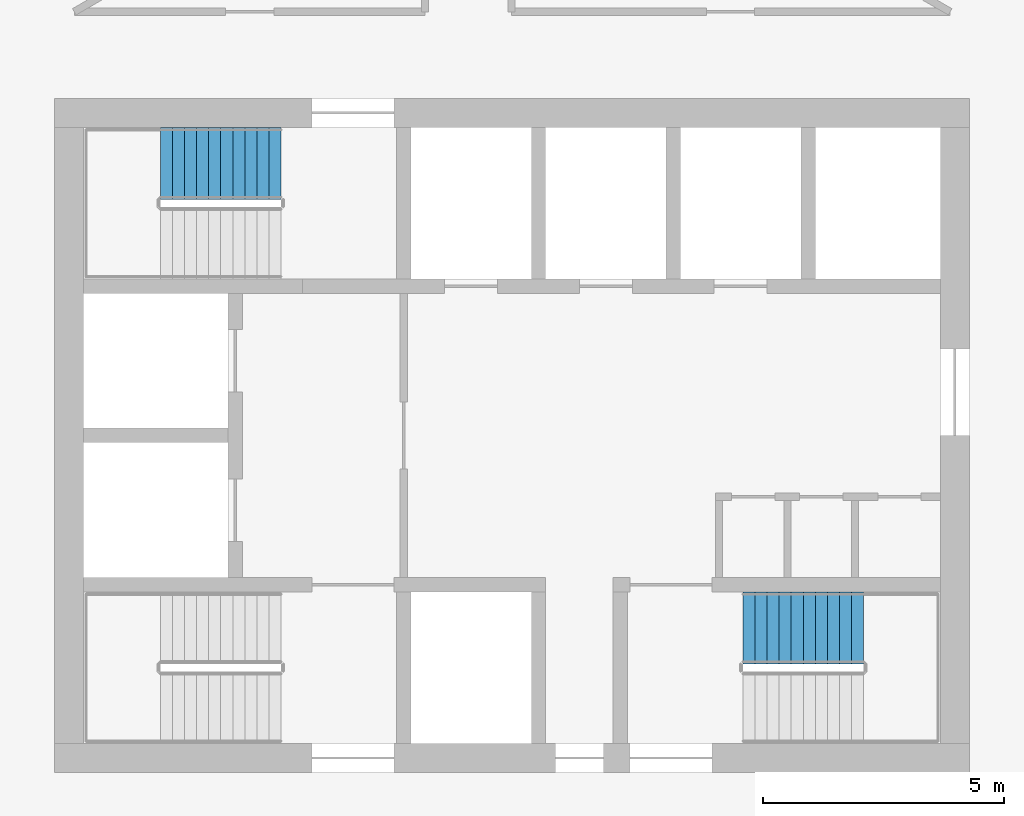
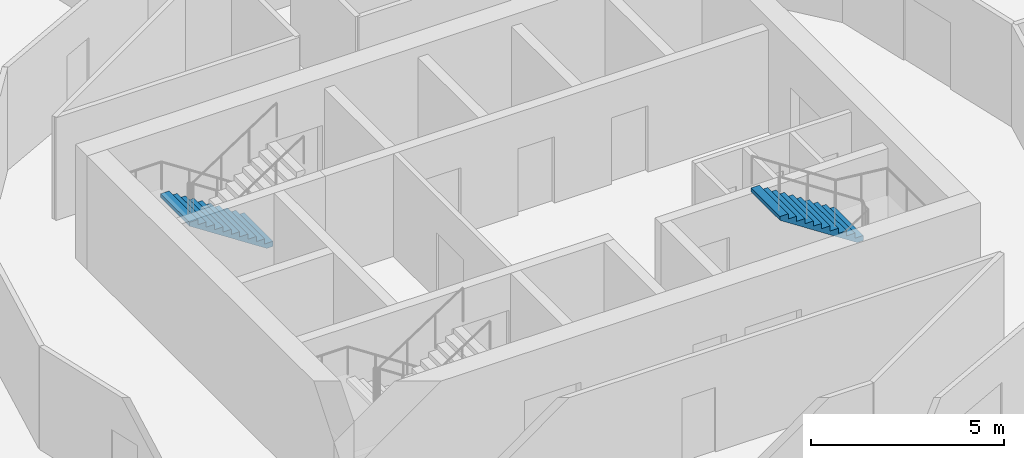
# One storey, part 11 of 12: 2 stair flights, 2 elements without a shape of their own.
"""IFC4 building model written with IfcOpenShell, lengths in metres."""

from ifc_helpers import new_model, si_unit, direction, frame, origin, place, context, subcontext, project, spatial, polyline, outline, extrude, material, type_object, element, aggregate, save


model = new_model("IFC4")

# Units and contexts
model_context = context("Model", 3, precision=1e-05, world=origin(), true_north=direction((0.0, 1.0)))
body_context = subcontext(model_context, "Body", "Model", "MODEL_VIEW")
ifc_project = project(units=[si_unit("LENGTHUNIT", "METRE"), si_unit("AREAUNIT", "SQUARE_METRE"), si_unit("VOLUMEUNIT", "CUBIC_METRE"), si_unit("PLANEANGLEUNIT", "RADIAN"), si_unit("MASSUNIT", "GRAM", prefix="KILO")], contexts=[model_context])

# Site, building, storey
site_placement = place(None, origin())
site = spatial("IfcSite", under=ifc_project, at=site_placement, CompositionType="ELEMENT")
building_placement = place(site_placement, origin())
building = spatial("IfcBuilding", under=site, at=building_placement, Name="Tracery Tower", CompositionType="ELEMENT")
storey_placement = place(building_placement, frame((0.0, 0.0, 323.39990234375)))
storey = spatial("IfcBuildingStorey", under=building, at=storey_placement, Name="L84", CompositionType="ELEMENT", Elevation=323.39990234375)

# Stair, stair flight
ifc_material_1 = material(Name="Concrete C32/40", Category="concrete")
stair_type = type_object("IfcStairType", Name="Core stair 22 risers", PredefinedType="HALF_TURN_STAIR", material=ifc_material_1)
stair_1_placement = place(storey_placement, origin())
stair_1 = element("IfcStair", 1, at=stair_1_placement, inside=storey, type_object=stair_type, Name="L84 stair ST3", PredefinedType="HALF_TURN_STAIR")
ifc_material_2 = material(Name="Concrete C32/40", Category="concrete")
stair_flight_type = type_object("IfcStairFlightType", Name="Core stair flight 11 risers", PredefinedType="STRAIGHT", material=ifc_material_2)
stair_flight_1_placement = place(storey_placement, frame((-4.800048828125, 5.64990234375, 0.0), z_axis=(0.0, 0.0, 1.0), x_axis=(-1.0, 0.0, 0.0)))
stair_flight_1 = element("IfcStairFlight", 2, at=stair_flight_1_placement, type_object=stair_flight_type, Name="ST3 flight 1", NumberOfRisers=11, NumberOfTreads=10, PredefinedType="STRAIGHT", RiserHeight=0.163636364, TreadLength=0.25, context=body_context, shape_type="SweptSolid", body=[
    extrude(outline(polyline([(0.0, 0.0), (0.0, 0.002685546875), (0.0, 0.00537109375), (0.0, 0.008056640625), (0.0, 0.0107421875), (0.0, 0.013427734375), (0.0, 0.01611328125), (0.0, 0.018798828125), (0.0, 0.021484375), (0.0, 0.024169921875), (0.0, 0.02685546875), (0.0, 0.029541015625), (0.0, 0.0322265625), (0.0, 0.034912109375), (0.0, 0.03759765625), (0.0, 0.040283203125), (0.0, 0.04296875), (0.0, 0.045654296875), (0.0, 0.04833984375), (0.0, 0.051025390625), (0.0, 0.0537109375), (0.0, 0.056396484375), (0.0, 0.05908203125), (0.0, 0.061767578125), (0.0, 0.064453125), (0.0, 0.067138671875), (0.0, 0.06982421875), (0.0, 0.072509765625), (0.0, 0.0751953125), (0.0, 0.077880859375), (0.0, 0.08056640625), (0.0, 0.083251953125), (0.0, 0.0859375), (0.0, 0.088623046875), (0.0, 0.09130859375), (0.0, 0.093994140625), (0.0, 0.0966796875), (0.0, 0.099365234375), (0.0, 0.10205078125), (0.0, 0.104736328125), (0.0, 0.107421875), (0.0, 0.10986328125), (0.0, 0.112548828125), (0.0, 0.115234375), (0.0, 0.117919921875), (0.0, 0.12060546875), (0.0, 0.123291015625), (0.0, 0.1259765625), (0.0, 0.128662109375), (0.0, 0.13134765625), (0.0, 0.134033203125), (0.0, 0.13671875), (0.0, 0.139404296875), (0.0, 0.14208984375), (0.0, 0.144775390625), (0.0, 0.1474609375), (0.0, 0.150146484375), (0.0, 0.15283203125), (0.0, 0.155517578125), (0.0, 0.158203125), (0.0, 0.160888671875), (0.0, 0.16357421875), (0.25, 0.16357421875), (0.25, 0.327392578125), (0.5, 0.327392578125), (0.5, 0.490966796875), (0.75, 0.490966796875), (0.75, 0.654541015625), (1.0, 0.654541015625), (1.0, 0.818115234375), (1.25, 0.818115234375), (1.25, 0.98193359375), (1.5, 0.98193359375), (1.5, 1.1455078125), (1.75, 1.1455078125), (1.75, 1.30908203125), (2.0, 1.30908203125), (2.0, 1.47265625), (2.25, 1.47265625), (2.25, 1.636474609375), (2.5, 1.636474609375), (2.5, 1.634521484375), (2.5, 1.63232421875), (2.5, 1.63037109375), (2.5, 1.62841796875), (2.5, 1.62646484375), (2.5, 1.62451171875), (2.5, 1.62255859375), (2.5, 1.62060546875), (2.5, 1.61865234375), (2.5, 1.61669921875), (2.5, 1.61474609375), (2.5, 1.61279296875), (2.5, 1.61083984375), (2.5, 1.60888671875), (2.5, 1.60693359375), (2.5, 1.60498046875), (2.5, 1.60302734375), (2.5, 1.60107421875), (2.5, 1.59912109375), (2.5, 1.59716796875), (2.5, 1.59521484375), (2.5, 1.59326171875), (2.5, 1.59130859375), (2.5, 1.58935546875), (2.5, 1.58740234375), (2.5, 1.58544921875), (2.5, 1.58349609375), (2.5, 1.58154296875), (2.5, 1.57958984375), (2.5, 1.57763671875), (2.5, 1.57568359375), (2.5, 1.573486328125), (2.5, 1.571533203125), (2.5, 1.569580078125), (2.5, 1.567626953125), (2.5, 1.565673828125), (2.5, 1.563720703125), (2.5, 1.561767578125), (2.5, 1.559814453125), (2.5, 1.557861328125), (2.5, 1.555908203125), (2.5, 1.553955078125), (2.5, 1.552001953125), (2.5, 1.550048828125), (2.5, 1.548095703125), (2.5, 1.546142578125), (2.5, 1.544189453125), (2.5, 1.542236328125), (2.5, 1.540283203125), (2.5, 1.538330078125), (2.5, 1.536376953125), (2.5, 1.534423828125), (2.5, 1.532470703125), (2.5, 1.530517578125), (2.5, 1.528564453125), (2.5, 1.526611328125), (2.5, 1.524658203125), (2.5, 1.522705078125), (2.5, 1.520751953125), (2.5, 1.518798828125), (2.5, 1.516845703125), (0.182861328125, 0.0), (0.0, 0.0)])), frame((0.0, 0.75, 0.0), z_axis=(0.0, -1.0, 0.0), x_axis=(1.0, 0.0, 0.0)), (0.0, 0.0, 1.0), 1.5),
])
aggregate(stair_1, [stair_flight_1])

stair_2_placement = place(storey_placement, origin())
stair_2 = element("IfcStair", 3, at=stair_2_placement, inside=storey, type_object=stair_type, Name="L84 stair ST2", PredefinedType="HALF_TURN_STAIR")
stair_flight_2_placement = place(storey_placement, frame((7.300048828125, -4.0, 1.800048828125), z_axis=(0.0, 0.0, 1.0), x_axis=(-1.0, 0.0, 0.0)))
stair_flight_2 = element("IfcStairFlight", 4, at=stair_flight_2_placement, type_object=stair_flight_type, Name="ST2 flight 2", NumberOfRisers=11, NumberOfTreads=10, PredefinedType="STRAIGHT", RiserHeight=0.163636364, TreadLength=0.25, context=body_context, shape_type="SweptSolid", body=[
    extrude(outline(polyline([(0.0, 0.0), (0.0, 0.002685546875), (0.0, 0.00537109375), (0.0, 0.008056640625), (0.0, 0.0107421875), (0.0, 0.013427734375), (0.0, 0.01611328125), (0.0, 0.018798828125), (0.0, 0.021484375), (0.0, 0.024169921875), (0.0, 0.02685546875), (0.0, 0.029541015625), (0.0, 0.0322265625), (0.0, 0.034912109375), (0.0, 0.03759765625), (0.0, 0.040283203125), (0.0, 0.04296875), (0.0, 0.045654296875), (0.0, 0.04833984375), (0.0, 0.051025390625), (0.0, 0.0537109375), (0.0, 0.056396484375), (0.0, 0.05908203125), (0.0, 0.061767578125), (0.0, 0.064453125), (0.0, 0.067138671875), (0.0, 0.06982421875), (0.0, 0.072509765625), (0.0, 0.0751953125), (0.0, 0.077880859375), (0.0, 0.08056640625), (0.0, 0.083251953125), (0.0, 0.0859375), (0.0, 0.088623046875), (0.0, 0.09130859375), (0.0, 0.093994140625), (0.0, 0.0966796875), (0.0, 0.099365234375), (0.0, 0.10205078125), (0.0, 0.104736328125), (0.0, 0.107421875), (0.0, 0.10986328125), (0.0, 0.112548828125), (0.0, 0.115234375), (0.0, 0.117919921875), (0.0, 0.12060546875), (0.0, 0.123291015625), (0.0, 0.1259765625), (0.0, 0.128662109375), (0.0, 0.13134765625), (0.0, 0.134033203125), (0.0, 0.13671875), (0.0, 0.139404296875), (0.0, 0.14208984375), (0.0, 0.144775390625), (0.0, 0.1474609375), (0.0, 0.150146484375), (0.0, 0.15283203125), (0.0, 0.155517578125), (0.0, 0.158203125), (0.0, 0.160888671875), (0.0, 0.16357421875), (0.25, 0.16357421875), (0.25, 0.327392578125), (0.5, 0.327392578125), (0.5, 0.490966796875), (0.75, 0.490966796875), (0.75, 0.654541015625), (1.0, 0.654541015625), (1.0, 0.818115234375), (1.25, 0.818115234375), (1.25, 0.98193359375), (1.5, 0.98193359375), (1.5, 1.1455078125), (1.75, 1.1455078125), (1.75, 1.30908203125), (2.0, 1.30908203125), (2.0, 1.47265625), (2.25, 1.47265625), (2.25, 1.636474609375), (2.5, 1.636474609375), (2.5, 1.634521484375), (2.5, 1.63232421875), (2.5, 1.63037109375), (2.5, 1.62841796875), (2.5, 1.62646484375), (2.5, 1.62451171875), (2.5, 1.62255859375), (2.5, 1.62060546875), (2.5, 1.61865234375), (2.5, 1.61669921875), (2.5, 1.61474609375), (2.5, 1.61279296875), (2.5, 1.61083984375), (2.5, 1.60888671875), (2.5, 1.60693359375), (2.5, 1.60498046875), (2.5, 1.60302734375), (2.5, 1.60107421875), (2.5, 1.59912109375), (2.5, 1.59716796875), (2.5, 1.59521484375), (2.5, 1.59326171875), (2.5, 1.59130859375), (2.5, 1.58935546875), (2.5, 1.58740234375), (2.5, 1.58544921875), (2.5, 1.58349609375), (2.5, 1.58154296875), (2.5, 1.57958984375), (2.5, 1.57763671875), (2.5, 1.57568359375), (2.5, 1.573486328125), (2.5, 1.571533203125), (2.5, 1.569580078125), (2.5, 1.567626953125), (2.5, 1.565673828125), (2.5, 1.563720703125), (2.5, 1.561767578125), (2.5, 1.559814453125), (2.5, 1.557861328125), (2.5, 1.555908203125), (2.5, 1.553955078125), (2.5, 1.552001953125), (2.5, 1.550048828125), (2.5, 1.548095703125), (2.5, 1.546142578125), (2.5, 1.544189453125), (2.5, 1.542236328125), (2.5, 1.540283203125), (2.5, 1.538330078125), (2.5, 1.536376953125), (2.5, 1.534423828125), (2.5, 1.532470703125), (2.5, 1.530517578125), (2.5, 1.528564453125), (2.5, 1.526611328125), (2.5, 1.524658203125), (2.5, 1.522705078125), (2.5, 1.520751953125), (2.5, 1.518798828125), (2.5, 1.516845703125), (0.182861328125, 0.0), (0.0, 0.0)])), frame((0.0, 0.75, 0.0), z_axis=(0.0, -1.0, 0.0), x_axis=(1.0, 0.0, 0.0)), (0.0, 0.0, 1.0), 1.5),
])
aggregate(stair_2, [stair_flight_2])

save(model, "model.ifc")
